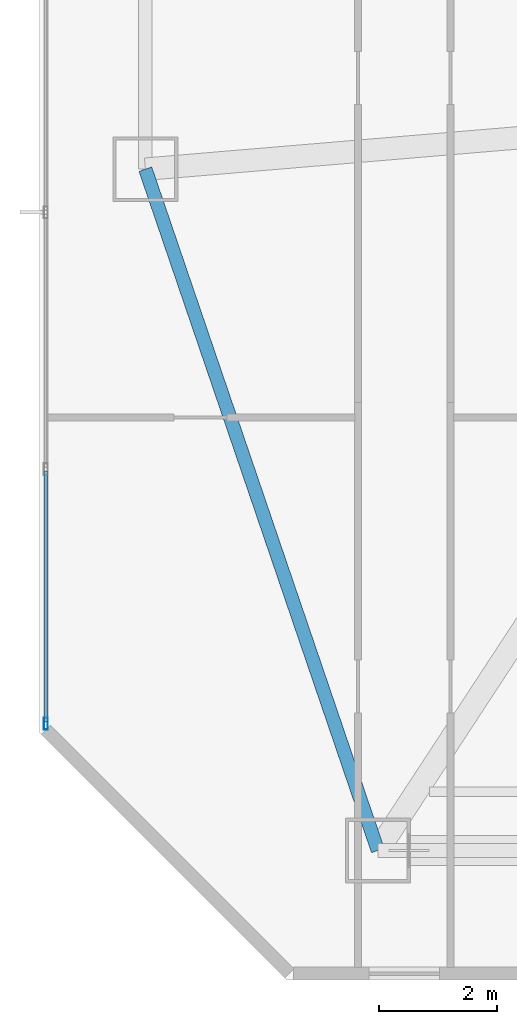
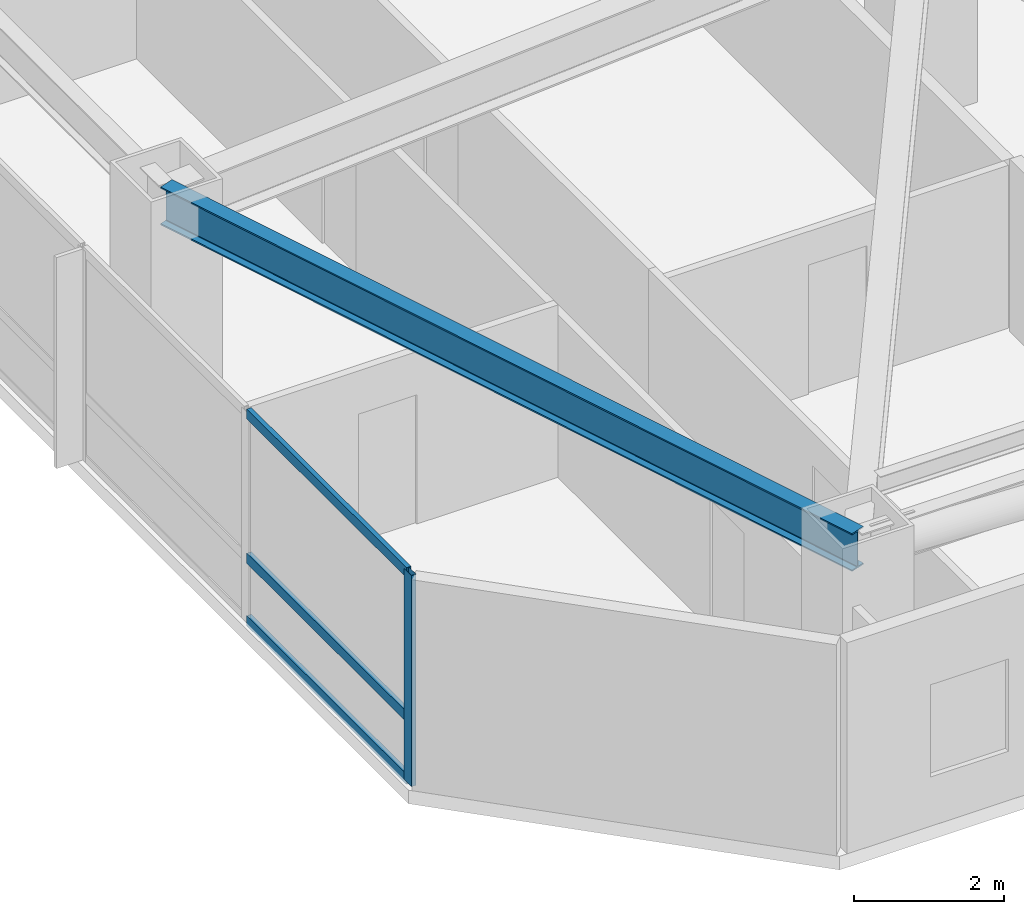
# One storey, part 2 of 18: 4 members, 1 beam, 1 element without a shape of its own.
"""IFC4 building model written with IfcOpenShell, lengths in metres."""

from ifc_helpers import new_model, si_unit, direction, frame, origin, origin_2d, place, context, subcontext, project, spatial, hollow_rectangle, i_section, extrude, material, material_profile, profile_set, type_object, element, aggregate, save


model = new_model("IFC4")

# Units and contexts
model_context = context("Model", 3, precision=1e-05, world=origin(), true_north=direction((0.0, 1.0)))
body_context = subcontext(model_context, "Body", "Model", "MODEL_VIEW")
ifc_project = project(units=[si_unit("LENGTHUNIT", "METRE"), si_unit("AREAUNIT", "SQUARE_METRE"), si_unit("VOLUMEUNIT", "CUBIC_METRE"), si_unit("PLANEANGLEUNIT", "RADIAN"), si_unit("MASSUNIT", "GRAM", prefix="KILO")], contexts=[model_context])

# Site, building, storey
site_placement = place(None, origin())
site = spatial("IfcSite", under=ifc_project, at=site_placement, CompositionType="ELEMENT")
building_placement = place(site_placement, origin())
building = spatial("IfcBuilding", under=site, at=building_placement, Name="Khamvora Tower", CompositionType="ELEMENT")
storey_placement = place(building_placement, frame((0.0, 0.0, 69.800048828125)))
storey = spatial("IfcBuildingStorey", under=building, at=storey_placement, Name="L17", CompositionType="ELEMENT", Elevation=69.800048828125)

# Beam
ifc_material_1 = material(Name="Steel S355", Category="steel")
ifc_material_profile_1 = material_profile(ifc_material_1, i_section(OverallWidth=0.22998046875, OverallDepth=0.616943359375, WebThickness=0.012939453125, FlangeThickness=0.02197265625, FilletRadius=0.013916015625, at=origin_2d()), Name="W610x140")
ifc_profile_set_1 = profile_set([ifc_material_profile_1], Name="Steel S355")
beam_type = type_object("IfcBeamType", Name="BM-SP-W610x140", PredefinedType="SPANDREL", material=ifc_profile_set_1)
beam_placement = place(storey_placement, frame((5.800048828125, 16.77490234375, 3.1220703125), z_axis=(0.322962893199, -0.946411628002, 0.0), x_axis=(0.946411628002, 0.322962893199, 0.0)))
element("IfcBeam", 1, at=beam_placement, inside=storey, type_object=beam_type, Name="L17 perimeter spandrel beam W1-S1", PredefinedType="SPANDREL", context=body_context, shape_type="SweptSolid", body=[
    extrude(i_section(OverallWidth=0.22998046875, OverallDepth=0.616943359375, WebThickness=0.012939453125, FlangeThickness=0.02197265625, FilletRadius=0.013916015625, at=origin_2d()), origin(), (0.0, 0.0, 1.0), 12.23046875),
])

# Curtain wall, members
ifc_material_2 = material(Name="Anodised Aluminium 6063-T6", Category="aluminium")
curtain_wall_type = type_object("IfcCurtainWallType", Name="CW-SYS-02", PredefinedType="NOTDEFINED", material=ifc_material_2)
curtain_wall_placement = place(storey_placement, origin())
curtain_wall = element("IfcCurtainWall", 2, at=curtain_wall_placement, inside=storey, type_object=curtain_wall_type, Name="L17 stick curtain wall 02.1", PredefinedType="NOTDEFINED")
ifc_material_profile_2 = material_profile(ifc_material_2, hollow_rectangle(XDim=0.070068359375, YDim=0.199951171875, WallThickness=0.0048828125, at=origin_2d()), Name="MUL70x200x5")
ifc_profile_set_2 = profile_set([ifc_material_profile_2], Name="Anodised Aluminium 6063-T6")
member_type_1 = type_object("IfcMemberType", Name="CW-SYS-02-MUL", PredefinedType="MULLION", material=ifc_profile_set_2)
member_1_placement = place(storey_placement, frame((4.110107421875, 7.35205078125, 0.0), z_axis=(0.0, 0.0, 1.0), x_axis=(-1.0, 0.0, 0.0)))
member_1 = element("IfcMember", 3, at=member_1_placement, type_object=member_type_1, Name="CW-02 mullion 1", PredefinedType="MULLION", context=body_context, shape_type="SweptSolid", body=[
    extrude(hollow_rectangle(XDim=0.070068359375, YDim=0.199951171875, WallThickness=0.0048828125, at=origin_2d()), origin(), (0.0, 0.0, 1.0), 3.429931640625),
])
ifc_material_profile_3 = material_profile(ifc_material_2, hollow_rectangle(XDim=0.070068359375, YDim=0.1650390625, WallThickness=0.0048828125, at=origin_2d()), Name="TRN70x165x5")
ifc_profile_set_3 = profile_set([ifc_material_profile_3], Name="Anodised Aluminium 6063-T6")
member_type_2 = type_object("IfcMemberType", Name="CW-SYS-02-TRN", PredefinedType="USERDEFINED", material=ifc_profile_set_3)
member_2_placement = place(storey_placement, frame((4.110107421875, 7.386962890625, 0.034912109375), z_axis=(0.0, 1.0, 0.0), x_axis=(-1.0, 0.0, 0.0)))
member_2 = element("IfcMember", 4, at=member_2_placement, type_object=member_type_2, Name="CW-02 transom 1.1", ObjectType="TRANSOM", PredefinedType="USERDEFINED", context=body_context, shape_type="SweptSolid", body=[
    extrude(hollow_rectangle(XDim=0.070068359375, YDim=0.1650390625, WallThickness=0.0048828125, at=origin_2d()), origin(), (0.0, 0.0, 1.0), 4.256591796875),
])
member_3_placement = place(storey_placement, frame((4.110107421875, 7.386962890625, 1.050048828125), z_axis=(0.0, 1.0, 0.0), x_axis=(-1.0, 0.0, 0.0)))
member_3 = element("IfcMember", 5, at=member_3_placement, type_object=member_type_2, Name="CW-02 transom 1.2", ObjectType="TRANSOM", PredefinedType="USERDEFINED", context=body_context, shape_type="SweptSolid", body=[
    extrude(hollow_rectangle(XDim=0.070068359375, YDim=0.1650390625, WallThickness=0.0048828125, at=origin_2d()), origin(), (0.0, 0.0, 1.0), 4.256591796875),
])
member_4_placement = place(storey_placement, frame((4.110107421875, 7.386962890625, 3.39501953125), z_axis=(0.0, 1.0, 0.0), x_axis=(-1.0, 0.0, 0.0)))
member_4 = element("IfcMember", 6, at=member_4_placement, type_object=member_type_2, Name="CW-02 transom 1.3", ObjectType="TRANSOM", PredefinedType="USERDEFINED", context=body_context, shape_type="SweptSolid", body=[
    extrude(hollow_rectangle(XDim=0.070068359375, YDim=0.1650390625, WallThickness=0.0048828125, at=origin_2d()), origin(), (0.0, 0.0, 1.0), 4.256591796875),
])
aggregate(curtain_wall, [member_1, member_2, member_3, member_4])

save(model, "model.ifc")
